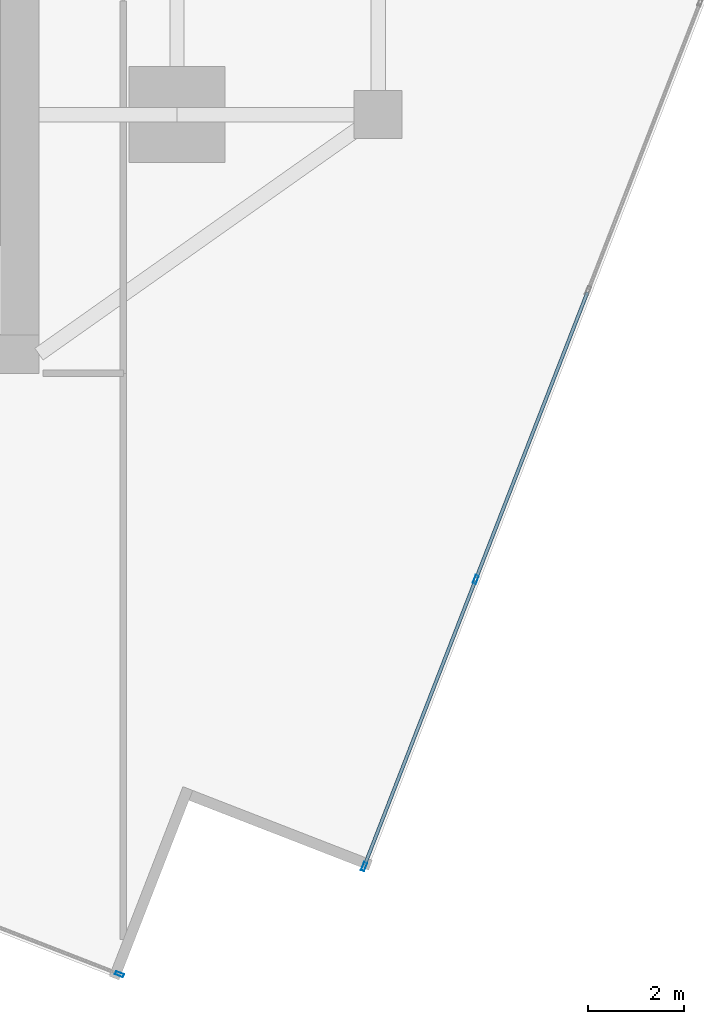
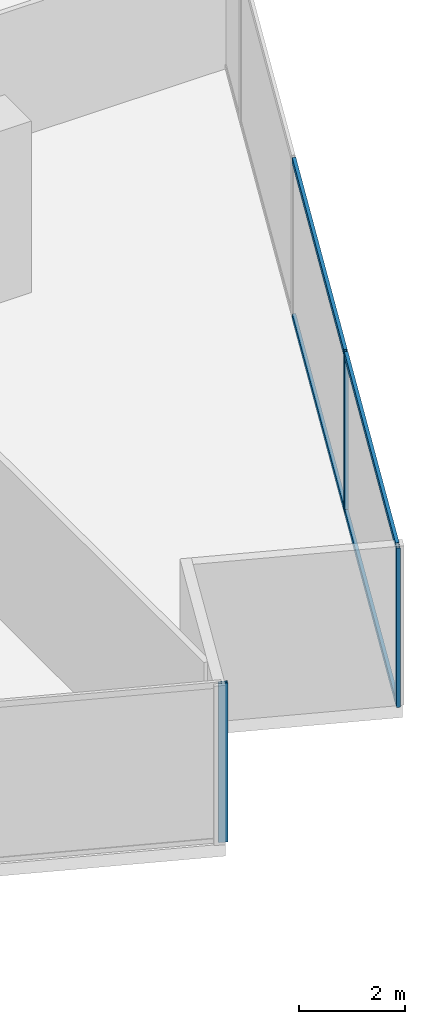
# One storey, part 9 of 26: 7 members, 2 elements without a shape of their own.
"""IFC4 building model written with IfcOpenShell, lengths in metres."""

from ifc_helpers import new_model, si_unit, direction, frame, origin, origin_2d, place, context, subcontext, project, spatial, hollow_rectangle, extrude, source, transform, mapped, material, material_profile, profile_set, type_object, type_shapes, element, aggregate, save


model = new_model("IFC4")

# Units and contexts
model_context = context("Model", 3, precision=1e-05, world=origin(), true_north=direction((0.0, 1.0)))
body_context = subcontext(model_context, "Body", "Model", "MODEL_VIEW")
ifc_project = project(units=[si_unit("LENGTHUNIT", "METRE"), si_unit("AREAUNIT", "SQUARE_METRE"), si_unit("VOLUMEUNIT", "CUBIC_METRE"), si_unit("PLANEANGLEUNIT", "RADIAN"), si_unit("MASSUNIT", "GRAM", prefix="KILO")], contexts=[model_context])

# Site, building, storey
site_placement = place(None, origin())
site = spatial("IfcSite", under=ifc_project, at=site_placement, CompositionType="ELEMENT")
building_placement = place(site_placement, origin())
building = spatial("IfcBuilding", under=site, at=building_placement, Name="Krantzveldt Concourse Tower", CompositionType="ELEMENT")
storey_placement = place(building_placement, frame((0.0, 0.0, 133.5)))
storey = spatial("IfcBuildingStorey", under=building, at=storey_placement, Name="L32", CompositionType="ELEMENT", Elevation=133.5)

# Curtain wall, member
ifc_material = material(Name="Anodised aluminium 6063-T6", Category="aluminium")
curtain_wall_type = type_object("IfcCurtainWallType", Name="CW2", PredefinedType="USERDEFINED", material=ifc_material)
curtain_wall_1_placement = place(storey_placement, origin())
curtain_wall_1 = element("IfcCurtainWall", 1, at=curtain_wall_1_placement, inside=storey, type_object=curtain_wall_type, Name="CW-L32-F08", ObjectType="UNITISED CURTAIN WALL", PredefinedType="USERDEFINED")
ifc_material_profile_1 = material_profile(ifc_material, hollow_rectangle(XDim=0.070068359375, YDim=0.179931640625, WallThickness=0.0048828125, at=origin_2d()), Name="Anodised aluminium 6063-T6", Category="aluminium")
ifc_profile_set_1 = profile_set([ifc_material_profile_1], Name="Anodised aluminium 6063-T6 - ALU-MULL 180x70x5")
member_type_1 = type_object("IfcMemberType", Name="CW-MUL-180", PredefinedType="MULLION", material=ifc_profile_set_1)
shared_shape_1 = source(origin(), body_context, "Body", "SweptSolid", [
    extrude(hollow_rectangle(XDim=0.070068359375, YDim=0.179931640625, WallThickness=0.0048828125, at=origin_2d()), origin(), (0.0, 0.0, 1.0), 3.669921875),
])
type_shapes(member_type_1, [shared_shape_1])
member_1_placement = place(storey_placement, frame((45.599853515625, -2.043701171875, 0.0), z_axis=(0.0, 0.0, 1.0), x_axis=(0.362437908899, 0.932007919598, 0.0)))
member_1 = element("IfcMember", 2, at=member_1_placement, type_object=member_type_1, Name="CW-Z12 mullion 3", PredefinedType="MULLION", context=body_context, shape_type="MappedRepresentation", body=[
    mapped(shared_shape_1, transform((0.0, 0.0, 0.0), x_axis=(1.0, 0.0, 0.0), y_axis=(0.0, 1.0, 0.0), z_axis=(0.0, 0.0, 1.0), scale=1.0)),
])
aggregate(curtain_wall_1, [member_1])

# Curtain wall, members
curtain_wall_2_placement = place(storey_placement, origin())
curtain_wall_2 = element("IfcCurtainWall", 3, at=curtain_wall_2_placement, inside=storey, type_object=curtain_wall_type, Name="CW-L32-F11", ObjectType="UNITISED CURTAIN WALL", PredefinedType="USERDEFINED")
member_2_placement = place(storey_placement, frame((50.70654296875, 0.203125, 0.0), z_axis=(0.0, 0.0, 1.0), x_axis=(-0.93200790248, 0.362437952917, 0.0)))
member_2 = element("IfcMember", 4, at=member_2_placement, type_object=member_type_1, Name="CW-Z12 mullion 1", PredefinedType="MULLION", context=body_context, shape_type="MappedRepresentation", body=[
    mapped(shared_shape_1, transform((0.0, 0.0, 0.0), x_axis=(1.0, 0.0, 0.0), y_axis=(0.0, 1.0, 0.0), z_axis=(0.0, 0.0, 1.0), scale=1.0)),
])
member_3_placement = place(storey_placement, frame((53.03759765625, 6.197509765625, 0.0), z_axis=(0.0, 0.0, 1.0), x_axis=(-0.93200790248, 0.362437952917, 0.0)))
member_3 = element("IfcMember", 5, at=member_3_placement, type_object=member_type_1, Name="CW-Z12 mullion 2", PredefinedType="MULLION", context=body_context, shape_type="MappedRepresentation", body=[
    mapped(shared_shape_1, transform((0.0, 0.0, 0.0), x_axis=(1.0, 0.0, 0.0), y_axis=(0.0, 1.0, 0.0), z_axis=(0.0, 0.0, 1.0), scale=1.0)),
])
ifc_material_profile_2 = material_profile(ifc_material, hollow_rectangle(XDim=0.070068359375, YDim=0.139892578125, WallThickness=0.0048828125, at=origin_2d()), Name="Anodised aluminium 6063-T6", Category="aluminium")
ifc_profile_set_2 = profile_set([ifc_material_profile_2], Name="Anodised aluminium 6063-T6 - ALU-TRAN 140x70x5")
member_type_2 = type_object("IfcMemberType", Name="CW-TRN-150", PredefinedType="USERDEFINED", material=ifc_profile_set_2)
shared_shape_2 = source(origin(), body_context, "Body", "SweptSolid", [
    extrude(hollow_rectangle(XDim=0.070068359375, YDim=0.139892578125, WallThickness=0.0048828125, at=origin_2d()), origin(), (0.0, 0.0, 1.0), 6.396484375),
])
member_4_placement = place(storey_placement, frame((53.05029296875, 6.230224609375, 0.034912109375), z_axis=(0.36243705186, 0.932008252882, 0.0), x_axis=(-0.932008252882, 0.36243705186, 0.0)))
member_4 = element("IfcMember", 6, at=member_4_placement, type_object=member_type_2, Name="CW-Z12 transom 2.1", ObjectType="TRANSOM", PredefinedType="USERDEFINED", context=body_context, shape_type="MappedRepresentation", body=[
    mapped(shared_shape_2, transform((0.0, 0.0, 0.0), x_axis=(1.0, 0.0, 0.0), y_axis=(0.0, 1.0, 0.0), z_axis=(0.0, 0.0, 1.0), scale=1.0)),
])
member_5_placement = place(storey_placement, frame((53.05029296875, 6.230224609375, 3.635009765625), z_axis=(0.36243705186, 0.932008252882, 0.0), x_axis=(-0.932008252882, 0.36243705186, 0.0)))
member_5 = element("IfcMember", 7, at=member_5_placement, type_object=member_type_2, Name="CW-Z12 transom 2.2", ObjectType="TRANSOM", PredefinedType="USERDEFINED", context=body_context, shape_type="MappedRepresentation", body=[
    mapped(shared_shape_2, transform((0.0, 0.0, 0.0), x_axis=(1.0, 0.0, 0.0), y_axis=(0.0, 1.0, 0.0), z_axis=(0.0, 0.0, 1.0), scale=1.0)),
])
shared_shape_3 = source(origin(), body_context, "Body", "SweptSolid", [
    extrude(hollow_rectangle(XDim=0.070068359375, YDim=0.139892578125, WallThickness=0.0048828125, at=origin_2d()), origin(), (0.0, 0.0, 1.0), 6.36181640625),
])
type_shapes(member_type_2, [shared_shape_2, shared_shape_3])
member_6_placement = place(storey_placement, frame((50.71923828125, 0.23583984375, 0.034912109375), z_axis=(0.362427741589, 0.932011873383, 0.0), x_axis=(-0.932011873383, 0.362427741589, 0.0)))
member_6 = element("IfcMember", 8, at=member_6_placement, type_object=member_type_2, Name="CW-Z12 transom 1.1", ObjectType="TRANSOM", PredefinedType="USERDEFINED", context=body_context, shape_type="MappedRepresentation", body=[
    mapped(shared_shape_3, transform((0.0, 0.0, 0.0), x_axis=(1.0, 0.0, 0.0), y_axis=(0.0, 1.0, 0.0), z_axis=(0.0, 0.0, 1.0), scale=1.0)),
])
member_7_placement = place(storey_placement, frame((50.71923828125, 0.23583984375, 3.635009765625), z_axis=(0.362427741589, 0.932011873383, 0.0), x_axis=(-0.932011873383, 0.362427741589, 0.0)))
member_7 = element("IfcMember", 9, at=member_7_placement, type_object=member_type_2, Name="CW-Z12 transom 1.2", ObjectType="TRANSOM", PredefinedType="USERDEFINED", context=body_context, shape_type="MappedRepresentation", body=[
    mapped(shared_shape_3, transform((0.0, 0.0, 0.0), x_axis=(1.0, 0.0, 0.0), y_axis=(0.0, 1.0, 0.0), z_axis=(0.0, 0.0, 1.0), scale=1.0)),
])
aggregate(curtain_wall_2, [member_2, member_3, member_6, member_7, member_4, member_5])

save(model, "model.ifc")
